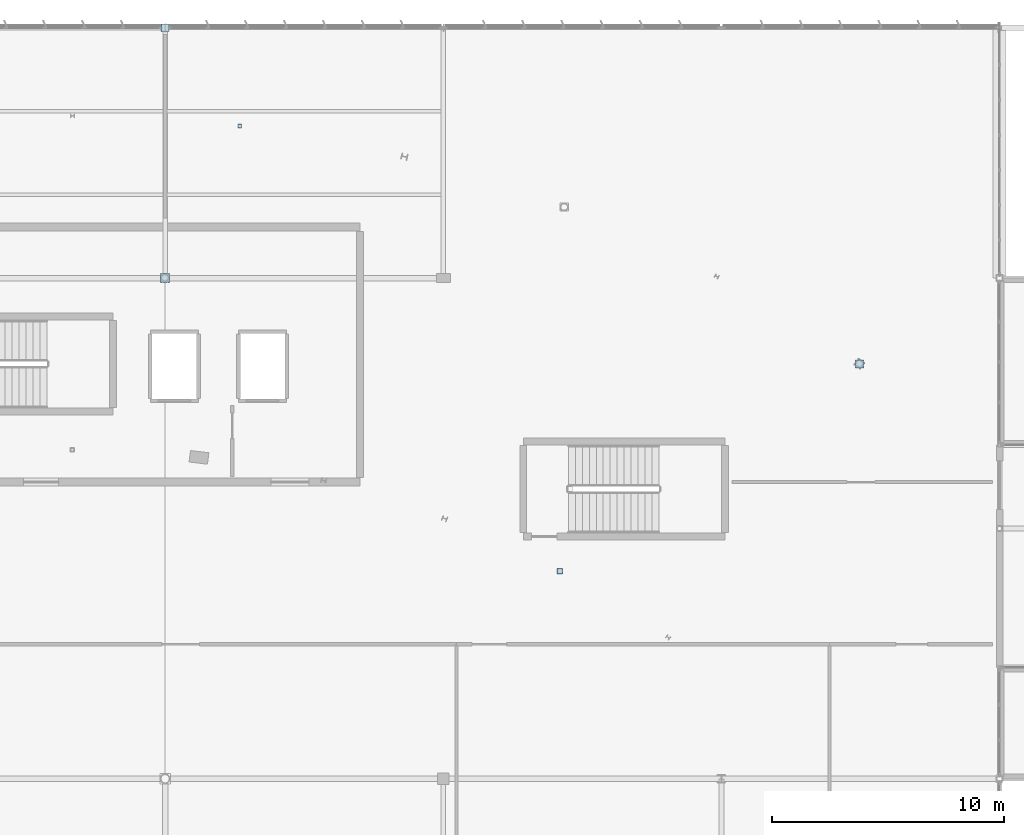
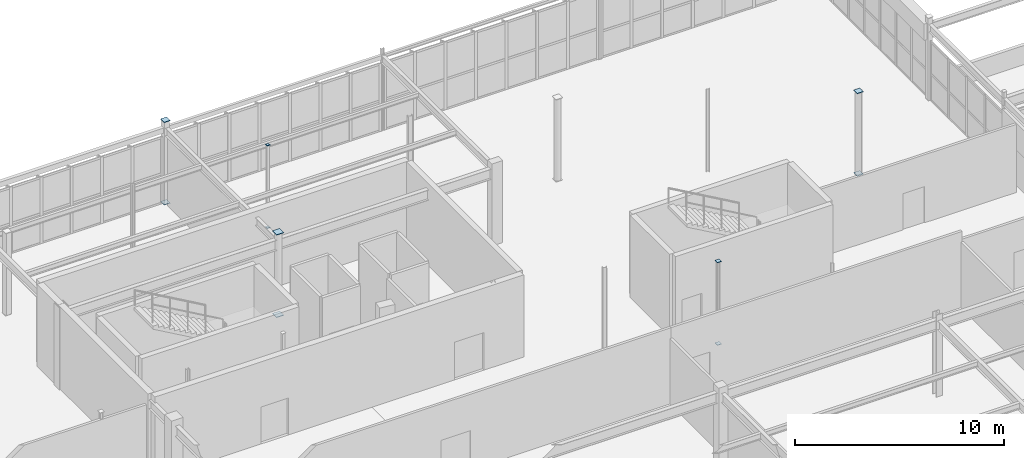
# One storey, part 176 of 226: 10 plates.
"""IFC4 building model written with IfcOpenShell, lengths in metres."""

from ifc_helpers import new_model, si_unit, direction, frame, origin, origin_2d, place, context, subcontext, project, spatial, rectangle, extrude, material, layer, layer_set, type_object, element, save


model = new_model("IFC4")

# Units and contexts
model_context = context("Model", 3, precision=1e-05, world=origin(), true_north=direction((0.0, 1.0)))
body_context = subcontext(model_context, "Body", "Model", "MODEL_VIEW")
ifc_project = project(units=[si_unit("LENGTHUNIT", "METRE"), si_unit("AREAUNIT", "SQUARE_METRE"), si_unit("VOLUMEUNIT", "CUBIC_METRE"), si_unit("PLANEANGLEUNIT", "RADIAN"), si_unit("MASSUNIT", "GRAM", prefix="KILO")], contexts=[model_context])

# Site, building, storey
site_placement = place(None, origin())
site = spatial("IfcSite", under=ifc_project, at=site_placement, CompositionType="ELEMENT")
building_placement = place(site_placement, origin())
building = spatial("IfcBuilding", under=site, at=building_placement, Name="Tarnwether General Hospital", CompositionType="ELEMENT")
storey_placement = place(building_placement, frame((0.0, 0.0, 4.800048828125)))
storey = spatial("IfcBuildingStorey", under=building, at=storey_placement, Name="L01", CompositionType="ELEMENT", Elevation=4.800048828125)

# Plates
ifc_material = material(Name="Steel Grade 350 (350 MPa)", Category="steel")
ifc_layer = layer(ifc_material, 0.02490234375)
ifc_layer_set = layer_set([ifc_layer], Name="Steel Grade 350 (350 MPa)")
plate_type = type_object("IfcPlateType", Name="PT-GUS2", PredefinedType="USERDEFINED", material=ifc_layer_set)
for number, where, z_axis, x_axis, name in (
    (1, (96.0, 115.199951171875, -0.02490234375), (0.0, 0.0, 1.0), (1.0, 0.0, 0.0), "Hollow Section Welded End Cap Plate 0177"),
    (2, (96.0, 115.199951171875, 4.800048828125), (0.0, 0.0, 1.0), (1.0, 0.0, 0.0), "Hollow Section Welded End Cap Plate 0178"),
):
    element("IfcPlate", number, at=place(storey_placement, frame(where, z_axis=z_axis, x_axis=x_axis)), inside=storey, type_object=plate_type, Name=name, ObjectType="GUSSET", PredefinedType="USERDEFINED", context=body_context, shape_type="SweptSolid", body=[
        extrude(rectangle(XDim=0.39599609375, YDim=0.39599609375, at=origin_2d()), origin(), (0.0, 0.0, 1.0), 0.02490234375),
    ])
for number, where, z_axis, x_axis, name in (
    (3, (96.0, 126.0, -0.02490234375), (0.0, 0.0, 1.0), (1.0, 0.0, 0.0), "Hollow Section Welded End Cap Plate 0183"),
    (4, (96.0, 126.0, 4.800048828125), (0.0, 0.0, 1.0), (1.0, 0.0, 0.0), "Hollow Section Welded End Cap Plate 0184"),
):
    element("IfcPlate", number, at=place(storey_placement, frame(where, z_axis=z_axis, x_axis=x_axis)), inside=storey, type_object=plate_type, Name=name, ObjectType="GUSSET", PredefinedType="USERDEFINED", context=body_context, shape_type="SweptSolid", body=[
        extrude(rectangle(XDim=0.340087890625, YDim=0.340087890625, at=origin_2d()), origin(), (0.0, 0.0, 1.0), 0.02490234375),
    ])
for number, where, z_axis, x_axis, name in (
    (5, (99.215087890625, 121.759033203125, -0.02490234375), (0.0, 0.0, 1.0), (1.0, 0.0, 0.0), "Hollow Section Welded End Cap Plate 0539"),
    (6, (99.215087890625, 121.759033203125, 4.800048828125), (0.0, 0.0, 1.0), (1.0, 0.0, 0.0), "Hollow Section Welded End Cap Plate 0540"),
):
    element("IfcPlate", number, at=place(storey_placement, frame(where, z_axis=z_axis, x_axis=x_axis)), inside=storey, type_object=plate_type, Name=name, ObjectType="GUSSET", PredefinedType="USERDEFINED", context=body_context, shape_type="SweptSolid", body=[
        extrude(rectangle(XDim=0.1650390625, YDim=0.1650390625, at=origin_2d()), origin(), (0.0, 0.0, 1.0), 0.02490234375),
    ])
for number, where, z_axis, x_axis, name in (
    (7, (113.031982421875, 102.555908203125, -0.02490234375), (0.0, 0.0, 1.0), (1.0, 0.0, 0.0), "Hollow Section Welded End Cap Plate 0589"),
    (8, (113.031982421875, 102.555908203125, 4.800048828125), (0.0, 0.0, 1.0), (1.0, 0.0, 0.0), "Hollow Section Welded End Cap Plate 0590"),
):
    element("IfcPlate", number, at=place(storey_placement, frame(where, z_axis=z_axis, x_axis=x_axis)), inside=storey, type_object=plate_type, Name=name, ObjectType="GUSSET", PredefinedType="USERDEFINED", context=body_context, shape_type="SweptSolid", body=[
        extrude(rectangle(XDim=0.23388671875, YDim=0.23388671875, at=origin_2d()), origin(), (0.0, 0.0, 1.0), 0.02490234375),
    ])
for number, where, z_axis, x_axis, name in (
    (9, (125.9560546875, 111.493896484375, -0.02490234375), (0.0, 0.0, 1.0), (1.0, 0.0, 0.0), "Hollow Section Welded End Cap Plate 0599"),
    (10, (125.9560546875, 111.493896484375, 4.800048828125), (0.0, 0.0, 1.0), (1.0, 0.0, 0.0), "Hollow Section Welded End Cap Plate 0600"),
):
    element("IfcPlate", number, at=place(storey_placement, frame(where, z_axis=z_axis, x_axis=x_axis)), inside=storey, type_object=plate_type, Name=name, ObjectType="GUSSET", PredefinedType="USERDEFINED", context=body_context, shape_type="SweptSolid", body=[
        extrude(rectangle(XDim=0.340087890625, YDim=0.340087890625, at=origin_2d()), origin(), (0.0, 0.0, 1.0), 0.02490234375),
    ])

save(model, "model.ifc")
